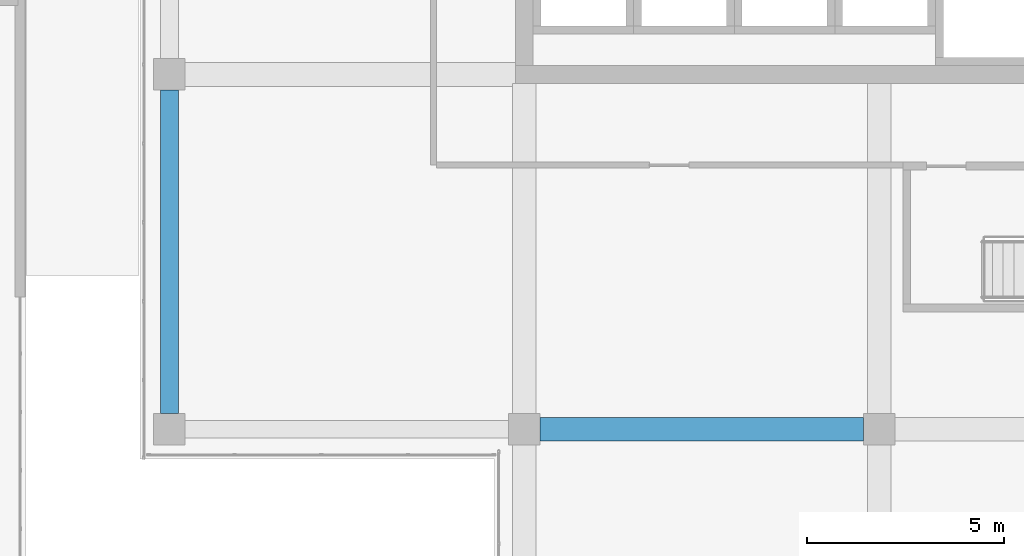
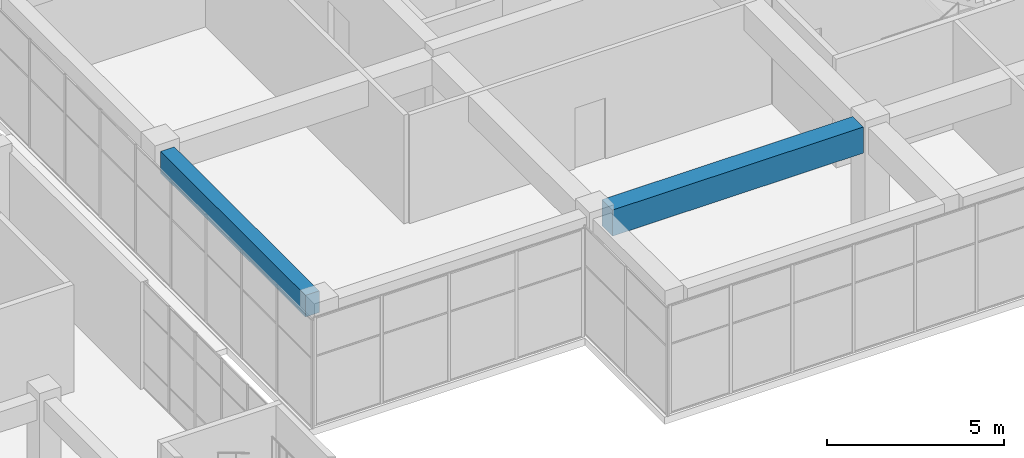
# One storey, part 20 of 66: 2 beams.
"""IFC4 building model written with IfcOpenShell, lengths in metres."""

from ifc_helpers import new_model, si_unit, direction, frame, origin, origin_2d, place, context, subcontext, project, spatial, rectangle, extrude, material, material_profile, profile_set, type_object, element, save


model = new_model("IFC4")

# Units and contexts
model_context = context("Model", 3, precision=1e-05, world=origin(), true_north=direction((0.0, 1.0)))
body_context = subcontext(model_context, "Body", "Model", "MODEL_VIEW")
ifc_project = project(units=[si_unit("LENGTHUNIT", "METRE"), si_unit("AREAUNIT", "SQUARE_METRE"), si_unit("VOLUMEUNIT", "CUBIC_METRE"), si_unit("PLANEANGLEUNIT", "RADIAN"), si_unit("MASSUNIT", "GRAM", prefix="KILO")], contexts=[model_context])

# Site, building, storey
site_placement = place(None, origin())
site = spatial("IfcSite", under=ifc_project, at=site_placement, CompositionType="ELEMENT")
building_placement = place(site_placement, origin())
building = spatial("IfcBuilding", under=site, at=building_placement, Name="Tuart Plaza Theatre", CompositionType="ELEMENT")
storey_placement = place(building_placement, frame((0.0, 0.0, 5.5)))
storey = spatial("IfcBuildingStorey", under=building, at=storey_placement, Name="L01", CompositionType="ELEMENT", Elevation=5.5)

# Beams
ifc_material_1 = material(Name="Concrete N40 (40 MPa)", Category="concrete")
ifc_material_profile_1 = material_profile(ifc_material_1, rectangle(XDim=0.449951171875, YDim=0.75, at=origin_2d()), Name="BEAM 450x750 Concrete N40 (40 MPa)")
ifc_profile_set_1 = profile_set([ifc_material_profile_1], Name="Concrete N40 (40 MPa)")
beam_type_1 = type_object("IfcBeamType", Name="BEAM 450x750 Concrete N40 (40 MPa)", PredefinedType="BEAM", material=ifc_profile_set_1)
beam_1_placement = place(storey_placement, frame((114.0, 56.39990234375, 3.375), z_axis=(0.0, 1.0, 0.0), x_axis=(-1.0, 0.0, 0.0)))
element("IfcBeam", 1, at=beam_1_placement, inside=storey, type_object=beam_type_1, Name="RB162", PredefinedType="BEAM", context=body_context, shape_type="SweptSolid", body=[
    extrude(rectangle(XDim=0.449951171875, YDim=0.75, at=origin_2d()), origin(), (0.0, 0.0, 1.0), 8.2001953125),
])
ifc_material_2 = material(Name="Concrete N40 (40 MPa)", Category="concrete")
ifc_material_profile_2 = material_profile(ifc_material_2, rectangle(XDim=0.60009765625, YDim=0.89990234375, at=origin_2d()), Name="BEAM 600x900 Concrete N40 (40 MPa)")
ifc_profile_set_2 = profile_set([ifc_material_profile_2], Name="Concrete N40 (40 MPa)")
beam_type_2 = type_object("IfcBeamType", Name="BEAM 600x900 Concrete N40 (40 MPa)", PredefinedType="BEAM", material=ifc_profile_set_2)
beam_2_placement = place(storey_placement, frame((123.39990234375, 56.0, 3.300048828125), z_axis=(1.0, 0.0, 0.0), x_axis=(0.0, 1.0, 0.0)))
element("IfcBeam", 2, at=beam_2_placement, inside=storey, type_object=beam_type_2, Name="RB176", PredefinedType="BEAM", context=body_context, shape_type="SweptSolid", body=[
    extrude(rectangle(XDim=0.60009765625, YDim=0.89990234375, at=origin_2d()), origin(), (0.0, 0.0, 1.0), 8.2001953125),
])

save(model, "model.ifc")
